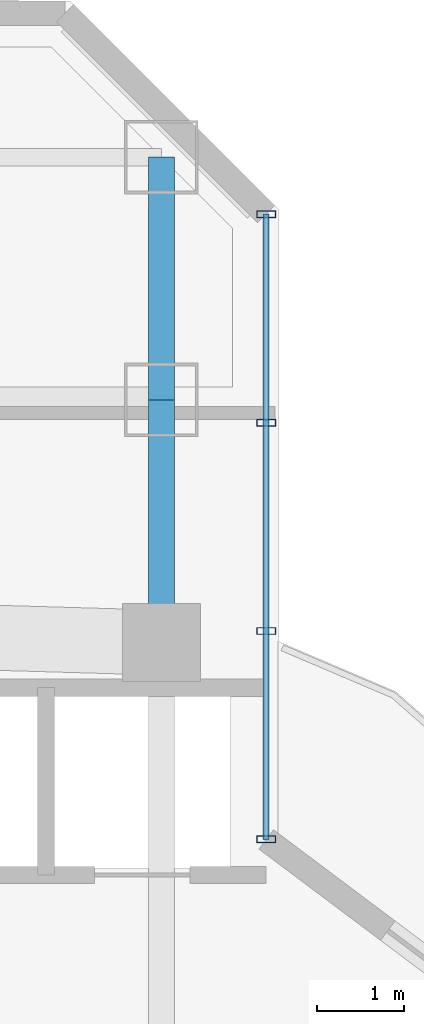
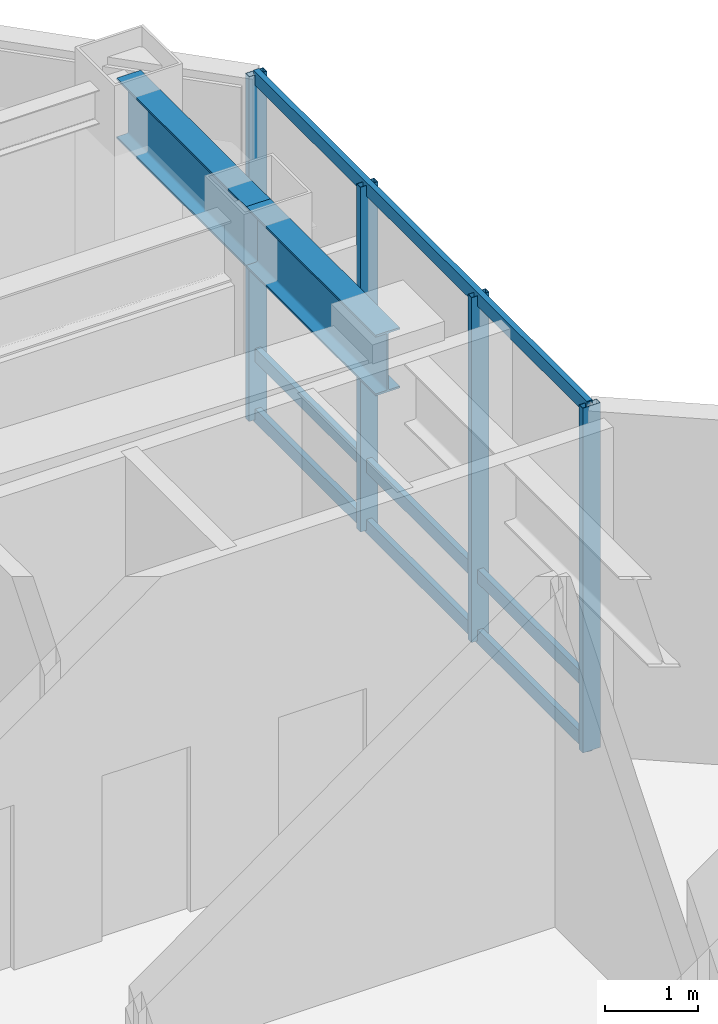
# One storey, part 20 of 30: 7 members, 2 beams, 1 element without a shape of its own.
"""IFC4 building model written with IfcOpenShell, lengths in metres."""

from ifc_helpers import new_model, si_unit, direction, frame, origin, origin_2d, place, context, subcontext, project, spatial, hollow_rectangle, i_section, extrude, material, layer, layer_set, material_profile, profile_set, type_object, element, aggregate, save


model = new_model("IFC4")

# Units and contexts
model_context = context("Model", 3, precision=1e-05, world=origin(), true_north=direction((0.0, 1.0)))
body_context = subcontext(model_context, "Body", "Model", "MODEL_VIEW")
ifc_project = project(units=[si_unit("LENGTHUNIT", "METRE"), si_unit("AREAUNIT", "SQUARE_METRE"), si_unit("VOLUMEUNIT", "CUBIC_METRE"), si_unit("PLANEANGLEUNIT", "RADIAN"), si_unit("MASSUNIT", "GRAM", prefix="KILO")], contexts=[model_context])

# Site, building, storey
site_placement = place(None, origin())
site = spatial("IfcSite", under=ifc_project, at=site_placement, CompositionType="ELEMENT")
building_placement = place(site_placement, origin())
building = spatial("IfcBuilding", under=site, at=building_placement, Name="Hatsunagi Terrace Concourse", CompositionType="ELEMENT")
storey_placement = place(building_placement, frame((0.0, 0.0, 130.050048828125)))
storey = spatial("IfcBuildingStorey", under=building, at=storey_placement, Name="L34", CompositionType="ELEMENT", Elevation=130.050048828125)

# Curtain wall, members
ifc_material_1 = material(Name="Anodised Aluminium Alloy 6063-T5", Category="aluminium")
ifc_layer = layer(ifc_material_1, 0.199951171875)
ifc_layer_set = layer_set([ifc_layer], Name="SkyLobbyAtrium_CW05")
curtain_wall_type = type_object("IfcCurtainWallType", Name="SkyLobbyAtrium_CW05", PredefinedType="NOTDEFINED", material=ifc_layer_set)
curtain_wall_placement = place(storey_placement, origin())
curtain_wall = element("IfcCurtainWall", 1, at=curtain_wall_placement, inside=storey, type_object=curtain_wall_type, Name="Unitised Curtain Wall CW-05 CW-L34-13", PredefinedType="NOTDEFINED")
ifc_material_2 = material(Name="Anodised Aluminium Alloy 6063-T5", Category="aluminium")
ifc_material_profile_1 = material_profile(ifc_material_2, hollow_rectangle(XDim=0.080078125, YDim=0.219970703125, WallThickness=0.0048828125, at=origin_2d()), Name="ALU-MUL-220x80x5")
ifc_profile_set_1 = profile_set([ifc_material_profile_1], Name="Anodised Aluminium Alloy 6063-T5")
member_type_1 = type_object("IfcMemberType", Name="CurtainWallMullion_Heavy_220x80", PredefinedType="MULLION", material=ifc_profile_set_1)
member_1_placement = place(storey_placement, frame((44.860107421875, 47.94189453125, 0.0), z_axis=(0.0, 0.0, 1.0), x_axis=(0.0, -1.0, 0.0)))
member_1 = element("IfcMember", 2, at=member_1_placement, type_object=member_type_1, Name="Curtain Wall Mullion MUL-01", PredefinedType="MULLION", context=body_context, shape_type="SweptSolid", body=[
    extrude(hollow_rectangle(XDim=0.080078125, YDim=0.219970703125, WallThickness=0.0048828125, at=origin_2d()), origin(), (0.0, 0.0, 1.0), 4.550048828125),
])
member_2_placement = place(storey_placement, frame((44.860107421875, 45.5380859375, 0.0), z_axis=(0.0, 0.0, 1.0), x_axis=(0.0, -1.0, 0.0)))
member_2 = element("IfcMember", 3, at=member_2_placement, type_object=member_type_1, Name="Curtain Wall Mullion MUL-01", PredefinedType="MULLION", context=body_context, shape_type="SweptSolid", body=[
    extrude(hollow_rectangle(XDim=0.080078125, YDim=0.219970703125, WallThickness=0.0048828125, at=origin_2d()), origin(), (0.0, 0.0, 1.0), 4.550048828125),
])
member_3_placement = place(storey_placement, frame((44.860107421875, 43.134033203125, 0.0), z_axis=(0.0, 0.0, 1.0), x_axis=(0.0, -1.0, 0.0)))
member_3 = element("IfcMember", 4, at=member_3_placement, type_object=member_type_1, Name="Curtain Wall Mullion MUL-01", PredefinedType="MULLION", context=body_context, shape_type="SweptSolid", body=[
    extrude(hollow_rectangle(XDim=0.080078125, YDim=0.219970703125, WallThickness=0.0048828125, at=origin_2d()), origin(), (0.0, 0.0, 1.0), 4.550048828125),
])
member_4_placement = place(storey_placement, frame((44.860107421875, 40.72998046875, 0.0), z_axis=(0.0, 0.0, 1.0), x_axis=(0.0, -1.0, 0.0)))
member_4 = element("IfcMember", 5, at=member_4_placement, type_object=member_type_1, Name="Curtain Wall Mullion MUL-01", PredefinedType="MULLION", context=body_context, shape_type="SweptSolid", body=[
    extrude(hollow_rectangle(XDim=0.080078125, YDim=0.219970703125, WallThickness=0.0048828125, at=origin_2d()), origin(), (0.0, 0.0, 1.0), 4.550048828125),
])
ifc_material_3 = material(Name="Anodised Aluminium Alloy 6063-T5", Category="aluminium")
ifc_material_profile_2 = material_profile(ifc_material_3, hollow_rectangle(XDim=0.070068359375, YDim=0.179931640625, WallThickness=0.00390625, at=origin_2d()), Name="ALU-TRN-180x70x4")
ifc_profile_set_2 = profile_set([ifc_material_profile_2], Name="Anodised Aluminium Alloy 6063-T5")
member_type_2 = type_object("IfcMemberType", Name="CurtainWallTransom_Heavy_180x70", PredefinedType="USERDEFINED", material=ifc_profile_set_2)
member_5_placement = place(storey_placement, frame((44.860107421875, 47.94189453125, 0.050048828125), z_axis=(0.0, -1.0, 0.0), x_axis=(1.0, 0.0, 0.0)))
member_5 = element("IfcMember", 6, at=member_5_placement, type_object=member_type_2, Name="Curtain Wall Transom TRN-01", ObjectType="TRANSOM", PredefinedType="USERDEFINED", context=body_context, shape_type="SweptSolid", body=[
    extrude(hollow_rectangle(XDim=0.070068359375, YDim=0.179931640625, WallThickness=0.00390625, at=origin_2d()), origin(), (0.0, 0.0, 1.0), 7.2119140625),
])
member_6_placement = place(storey_placement, frame((44.860107421875, 47.94189453125, 0.849853515625), z_axis=(0.0, -1.0, 0.0), x_axis=(1.0, 0.0, 0.0)))
member_6 = element("IfcMember", 7, at=member_6_placement, type_object=member_type_2, Name="Curtain Wall Transom TRN-01", ObjectType="TRANSOM", PredefinedType="USERDEFINED", context=body_context, shape_type="SweptSolid", body=[
    extrude(hollow_rectangle(XDim=0.070068359375, YDim=0.179931640625, WallThickness=0.00390625, at=origin_2d()), origin(), (0.0, 0.0, 1.0), 7.2119140625),
])
member_7_placement = place(storey_placement, frame((44.860107421875, 47.94189453125, 4.5), z_axis=(0.0, -1.0, 0.0), x_axis=(1.0, 0.0, 0.0)))
member_7 = element("IfcMember", 8, at=member_7_placement, type_object=member_type_2, Name="Curtain Wall Transom TRN-01", ObjectType="TRANSOM", PredefinedType="USERDEFINED", context=body_context, shape_type="SweptSolid", body=[
    extrude(hollow_rectangle(XDim=0.070068359375, YDim=0.179931640625, WallThickness=0.00390625, at=origin_2d()), origin(), (0.0, 0.0, 1.0), 7.2119140625),
])
aggregate(curtain_wall, [member_1, member_2, member_3, member_4, member_5, member_6, member_7])

# Beams
ifc_material_4 = material(Name="Steel SN490B", Category="steel")
ifc_material_profile_3 = material_profile(ifc_material_4, i_section(OverallWidth=0.300048828125, OverallDepth=0.800048828125, WebThickness=0.013916015625, FlangeThickness=0.02587890625, FilletRadius=0.02197265625, at=origin_2d()), Name="H-800x300x14x26")
ifc_profile_set_3 = profile_set([ifc_material_profile_3], Name="Steel SN490B")
beam_type = type_object("IfcBeamType", Name="SkyLobbyGirder_H_800x300", PredefinedType="BEAM", material=ifc_profile_set_3)
for number, where, z_axis, x_axis, name in (
    (9, (43.64990234375, 43.0, 4.14990234375), (0.0, 1.0, 0.0), (-1.0, 0.0, 0.0), "Beam G-03 BM-L34-CN3"),
    (10, (43.64990234375, 45.800048828125, 4.14990234375), (0.0, 1.0, 0.0), (-1.0, 0.0, 0.0), "Beam G-03 BM-L34-KN-WN6"),
):
    element("IfcBeam", number, at=place(storey_placement, frame(where, z_axis=z_axis, x_axis=x_axis)), inside=storey, type_object=beam_type, Name=name, PredefinedType="BEAM", context=body_context, shape_type="SweptSolid", body=[
        extrude(i_section(OverallWidth=0.300048828125, OverallDepth=0.800048828125, WebThickness=0.013916015625, FlangeThickness=0.02587890625, FilletRadius=0.02197265625, at=origin_2d()), origin(), (0.0, 0.0, 1.0), 2.800048828125),
    ])

save(model, "model.ifc")
